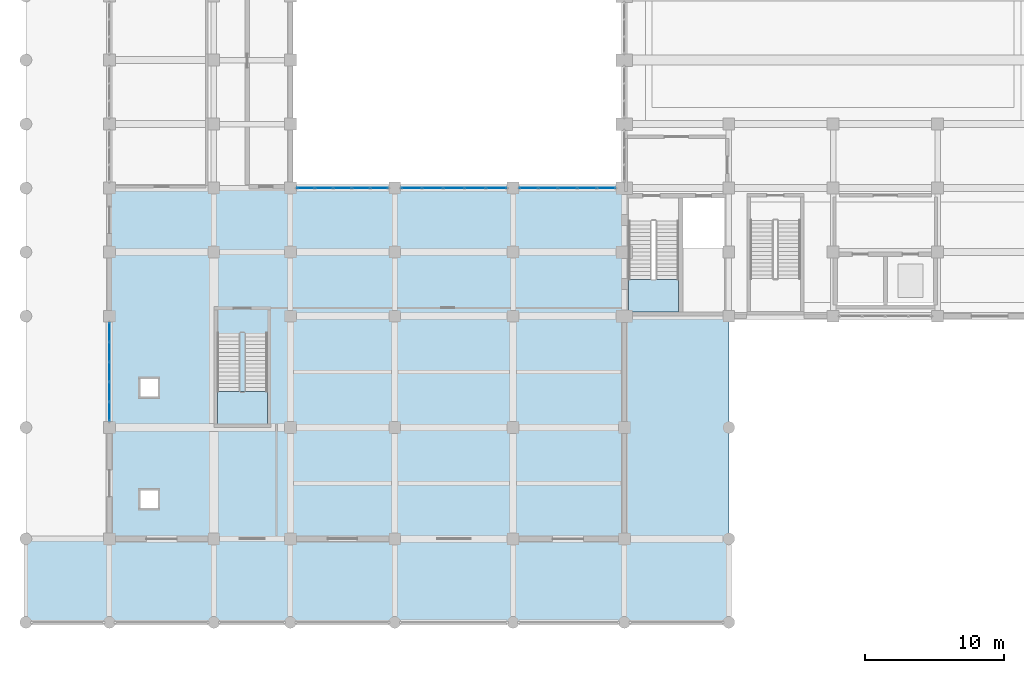
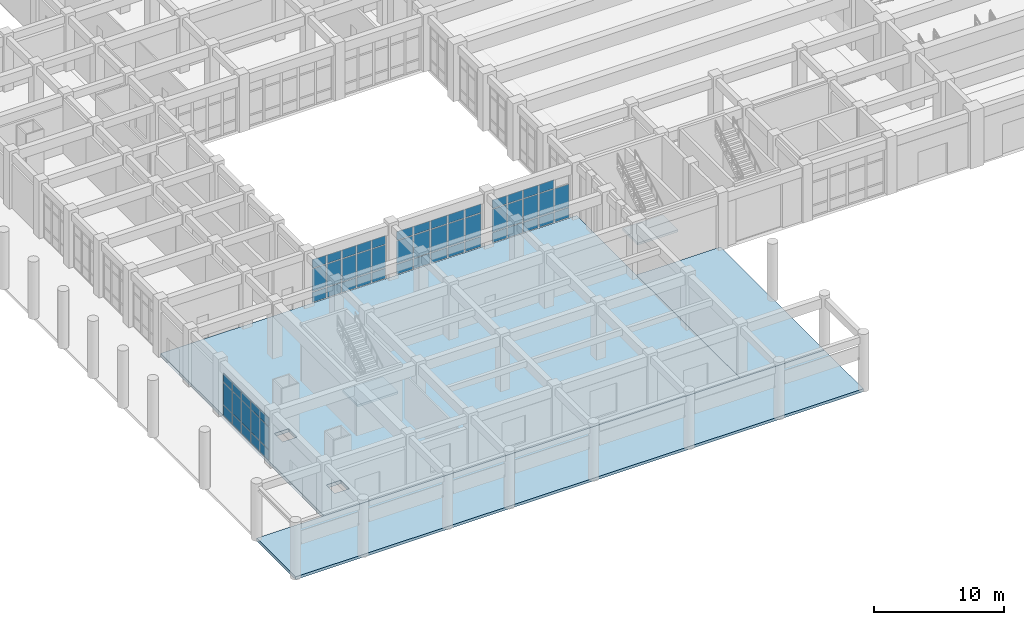
# One storey, part 52 of 84: 59 plates, 5 slabs, 6 elements without a shape of their own.
"""IFC4 building model written with IfcOpenShell, lengths in metres."""

from ifc_helpers import new_model, si_unit, direction, frame, origin, origin_2d, place, context, subcontext, project, spatial, polyline, rectangle, outline, extrude, material, layer, layer_set, type_object, element, aggregate, save


model = new_model("IFC4")

# Units and contexts
model_context = context("Model", 3, precision=1e-05, world=origin(), true_north=direction((0.0, 1.0)))
body_context = subcontext(model_context, "Body", "Model", "MODEL_VIEW")
ifc_project = project(units=[si_unit("LENGTHUNIT", "METRE"), si_unit("AREAUNIT", "SQUARE_METRE"), si_unit("VOLUMEUNIT", "CUBIC_METRE"), si_unit("PLANEANGLEUNIT", "RADIAN"), si_unit("MASSUNIT", "GRAM", prefix="KILO")], contexts=[model_context])

# Site, building, storey
site_placement = place(None, origin())
site = spatial("IfcSite", under=ifc_project, at=site_placement, CompositionType="ELEMENT")
building_placement = place(site_placement, origin())
building = spatial("IfcBuilding", under=site, at=building_placement, Name="Muzn Square Opera House", CompositionType="ELEMENT")
storey_placement = place(building_placement, origin())
storey = spatial("IfcBuildingStorey", under=building, at=storey_placement, Name="L00", CompositionType="ELEMENT", Elevation=0.0)

# Curtain wall, plates
ifc_material_1 = material(Name="Low-E laminated acoustic double glazing", Category="glass")
ifc_layer_1 = layer(ifc_material_1, 0.159912109375, Name="Low-E laminated acoustic double glazing", Category="glass")
ifc_layer_set_1 = layer_set([ifc_layer_1], Name="Low-E laminated acoustic double glazing")
curtain_wall_type_1 = type_object("IfcCurtainWallType", Name="Glazed Curtain Wall WestCloisterS 6650x4150", PredefinedType="USERDEFINED", material=ifc_layer_set_1)
curtain_wall_1_placement = place(storey_placement, origin())
curtain_wall_1 = element("IfcCurtainWall", 1, at=curtain_wall_1_placement, inside=storey, type_object=curtain_wall_type_1, Name="Glazed Curtain Wall CW-L00-069", ObjectType="GLAZED CURTAIN WALL", PredefinedType="USERDEFINED")
ifc_layer_2 = layer(ifc_material_1, 0.035888671875, Name="Low-E laminated acoustic double glazing", Category="glass")
ifc_layer_set_2 = layer_set([ifc_layer_2], Name="Low-E laminated acoustic double glazing")
plate_type = type_object("IfcPlateType", Name="Curtain Wall Solar Glazed Panel 36mm", PredefinedType="CURTAIN_PANEL", material=ifc_layer_set_2)
plate_1_placement = place(storey_placement, frame((20.107421875, 31.199951171875, 0.06982421875), z_axis=(0.0, 0.0, 1.0), x_axis=(1.0, 0.0, 0.0)))
plate_1 = element("IfcPlate", 2, at=plate_1_placement, type_object=plate_type, Name="CW-WCS-66x41 panel 1.1", PredefinedType="CURTAIN_PANEL", context=body_context, shape_type="SweptSolid", body=[
    extrude(rectangle(XDim=1.22509765625, YDim=0.035888671875, at=origin_2d()), origin(), (0.0, 0.0, 1.0), 0.945068359375),
])
plate_2_placement = place(storey_placement, frame((20.107421875, 31.199951171875, 1.0849609375), z_axis=(0.0, 0.0, 1.0), x_axis=(1.0, 0.0, 0.0)))
plate_2 = element("IfcPlate", 3, at=plate_2_placement, type_object=plate_type, Name="CW-WCS-66x41 panel 1.2", PredefinedType="CURTAIN_PANEL", context=body_context, shape_type="SweptSolid", body=[
    extrude(rectangle(XDim=1.22509765625, YDim=0.035888671875, at=origin_2d()), origin(), (0.0, 0.0, 1.0), 2.1298828125),
])
plate_3_placement = place(storey_placement, frame((20.107421875, 31.199951171875, 3.28515625), z_axis=(0.0, 0.0, 1.0), x_axis=(1.0, 0.0, 0.0)))
plate_3 = element("IfcPlate", 4, at=plate_3_placement, type_object=plate_type, Name="CW-WCS-66x41 panel 1.3", PredefinedType="CURTAIN_PANEL", context=body_context, shape_type="SweptSolid", body=[
    extrude(rectangle(XDim=1.22509765625, YDim=0.035888671875, at=origin_2d()), origin(), (0.0, 0.0, 1.0), 0.794921875),
])
plate_4_placement = place(storey_placement, frame((21.419921875, 31.199951171875, 0.06982421875), z_axis=(0.0, 0.0, 1.0), x_axis=(1.0, 0.0, 0.0)))
plate_4 = element("IfcPlate", 5, at=plate_4_placement, type_object=plate_type, Name="CW-WCS-66x41 panel 2.1", PredefinedType="CURTAIN_PANEL", context=body_context, shape_type="SweptSolid", body=[
    extrude(rectangle(XDim=1.260009765625, YDim=0.035888671875, at=origin_2d()), origin(), (0.0, 0.0, 1.0), 0.945068359375),
])
plate_5_placement = place(storey_placement, frame((21.419921875, 31.199951171875, 1.0849609375), z_axis=(0.0, 0.0, 1.0), x_axis=(1.0, 0.0, 0.0)))
plate_5 = element("IfcPlate", 6, at=plate_5_placement, type_object=plate_type, Name="CW-WCS-66x41 panel 2.2", PredefinedType="CURTAIN_PANEL", context=body_context, shape_type="SweptSolid", body=[
    extrude(rectangle(XDim=1.260009765625, YDim=0.035888671875, at=origin_2d()), origin(), (0.0, 0.0, 1.0), 2.1298828125),
])
plate_6_placement = place(storey_placement, frame((21.419921875, 31.199951171875, 3.28515625), z_axis=(0.0, 0.0, 1.0), x_axis=(1.0, 0.0, 0.0)))
plate_6 = element("IfcPlate", 7, at=plate_6_placement, type_object=plate_type, Name="CW-WCS-66x41 panel 2.3", PredefinedType="CURTAIN_PANEL", context=body_context, shape_type="SweptSolid", body=[
    extrude(rectangle(XDim=1.260009765625, YDim=0.035888671875, at=origin_2d()), origin(), (0.0, 0.0, 1.0), 0.794921875),
])
plate_7_placement = place(storey_placement, frame((22.75, 31.199951171875, 0.06982421875), z_axis=(0.0, 0.0, 1.0), x_axis=(1.0, 0.0, 0.0)))
plate_7 = element("IfcPlate", 8, at=plate_7_placement, type_object=plate_type, Name="CW-WCS-66x41 panel 3.1", PredefinedType="CURTAIN_PANEL", context=body_context, shape_type="SweptSolid", body=[
    extrude(rectangle(XDim=1.260009765625, YDim=0.035888671875, at=origin_2d()), origin(), (0.0, 0.0, 1.0), 0.945068359375),
])
plate_8_placement = place(storey_placement, frame((22.75, 31.199951171875, 1.0849609375), z_axis=(0.0, 0.0, 1.0), x_axis=(1.0, 0.0, 0.0)))
plate_8 = element("IfcPlate", 9, at=plate_8_placement, type_object=plate_type, Name="CW-WCS-66x41 panel 3.2", PredefinedType="CURTAIN_PANEL", context=body_context, shape_type="SweptSolid", body=[
    extrude(rectangle(XDim=1.260009765625, YDim=0.035888671875, at=origin_2d()), origin(), (0.0, 0.0, 1.0), 2.1298828125),
])
plate_9_placement = place(storey_placement, frame((22.75, 31.199951171875, 3.28515625), z_axis=(0.0, 0.0, 1.0), x_axis=(1.0, 0.0, 0.0)))
plate_9 = element("IfcPlate", 10, at=plate_9_placement, type_object=plate_type, Name="CW-WCS-66x41 panel 3.3", PredefinedType="CURTAIN_PANEL", context=body_context, shape_type="SweptSolid", body=[
    extrude(rectangle(XDim=1.260009765625, YDim=0.035888671875, at=origin_2d()), origin(), (0.0, 0.0, 1.0), 0.794921875),
])
plate_10_placement = place(storey_placement, frame((24.080078125, 31.199951171875, 0.06982421875), z_axis=(0.0, 0.0, 1.0), x_axis=(1.0, 0.0, 0.0)))
plate_10 = element("IfcPlate", 11, at=plate_10_placement, type_object=plate_type, Name="CW-WCS-66x41 panel 4.1", PredefinedType="CURTAIN_PANEL", context=body_context, shape_type="SweptSolid", body=[
    extrude(rectangle(XDim=1.260009765625, YDim=0.035888671875, at=origin_2d()), origin(), (0.0, 0.0, 1.0), 0.945068359375),
])
plate_11_placement = place(storey_placement, frame((24.080078125, 31.199951171875, 1.0849609375), z_axis=(0.0, 0.0, 1.0), x_axis=(1.0, 0.0, 0.0)))
plate_11 = element("IfcPlate", 12, at=plate_11_placement, type_object=plate_type, Name="CW-WCS-66x41 panel 4.2", PredefinedType="CURTAIN_PANEL", context=body_context, shape_type="SweptSolid", body=[
    extrude(rectangle(XDim=1.260009765625, YDim=0.035888671875, at=origin_2d()), origin(), (0.0, 0.0, 1.0), 2.1298828125),
])
plate_12_placement = place(storey_placement, frame((24.080078125, 31.199951171875, 3.28515625), z_axis=(0.0, 0.0, 1.0), x_axis=(1.0, 0.0, 0.0)))
plate_12 = element("IfcPlate", 13, at=plate_12_placement, type_object=plate_type, Name="CW-WCS-66x41 panel 4.3", PredefinedType="CURTAIN_PANEL", context=body_context, shape_type="SweptSolid", body=[
    extrude(rectangle(XDim=1.260009765625, YDim=0.035888671875, at=origin_2d()), origin(), (0.0, 0.0, 1.0), 0.794921875),
])
plate_13_placement = place(storey_placement, frame((25.392578125, 31.199951171875, 0.06982421875), z_axis=(0.0, 0.0, 1.0), x_axis=(1.0, 0.0, 0.0)))
plate_13 = element("IfcPlate", 14, at=plate_13_placement, type_object=plate_type, Name="CW-WCS-66x41 panel 5.1", PredefinedType="CURTAIN_PANEL", context=body_context, shape_type="SweptSolid", body=[
    extrude(rectangle(XDim=1.22509765625, YDim=0.035888671875, at=origin_2d()), origin(), (0.0, 0.0, 1.0), 0.945068359375),
])
plate_14_placement = place(storey_placement, frame((25.392578125, 31.199951171875, 1.0849609375), z_axis=(0.0, 0.0, 1.0), x_axis=(1.0, 0.0, 0.0)))
plate_14 = element("IfcPlate", 15, at=plate_14_placement, type_object=plate_type, Name="CW-WCS-66x41 panel 5.2", PredefinedType="CURTAIN_PANEL", context=body_context, shape_type="SweptSolid", body=[
    extrude(rectangle(XDim=1.22509765625, YDim=0.035888671875, at=origin_2d()), origin(), (0.0, 0.0, 1.0), 2.1298828125),
])
plate_15_placement = place(storey_placement, frame((25.392578125, 31.199951171875, 3.28515625), z_axis=(0.0, 0.0, 1.0), x_axis=(1.0, 0.0, 0.0)))
plate_15 = element("IfcPlate", 16, at=plate_15_placement, type_object=plate_type, Name="CW-WCS-66x41 panel 5.3", PredefinedType="CURTAIN_PANEL", context=body_context, shape_type="SweptSolid", body=[
    extrude(rectangle(XDim=1.22509765625, YDim=0.035888671875, at=origin_2d()), origin(), (0.0, 0.0, 1.0), 0.794921875),
])
aggregate(curtain_wall_1, [plate_1, plate_2, plate_3, plate_4, plate_5, plate_6, plate_7, plate_8, plate_9, plate_10, plate_11, plate_12, plate_13, plate_14, plate_15])

ifc_layer_3 = layer(ifc_material_1, 0.159912109375, Name="Low-E laminated acoustic double glazing", Category="glass")
ifc_layer_set_3 = layer_set([ifc_layer_3], Name="Low-E laminated acoustic double glazing")
curtain_wall_type_2 = type_object("IfcCurtainWallType", Name="Glazed Curtain Wall WestCloisterS 7650x4150", PredefinedType="USERDEFINED", material=ifc_layer_set_3)
curtain_wall_2_placement = place(storey_placement, origin())
curtain_wall_2 = element("IfcCurtainWall", 17, at=curtain_wall_2_placement, inside=storey, type_object=curtain_wall_type_2, Name="Glazed Curtain Wall CW-L00-071", ObjectType="GLAZED CURTAIN WALL", PredefinedType="USERDEFINED")
plate_16_placement = place(storey_placement, frame((27.70751953125, 31.199951171875, 0.06982421875), z_axis=(0.0, 0.0, 1.0), x_axis=(1.0, 0.0, 0.0)))
plate_16 = element("IfcPlate", 18, at=plate_16_placement, type_object=plate_type, Name="CW-WCS-76x41 panel 1.1", PredefinedType="CURTAIN_PANEL", context=body_context, shape_type="SweptSolid", body=[
    extrude(rectangle(XDim=1.425048828125, YDim=0.035888671875, at=origin_2d()), origin(), (0.0, 0.0, 1.0), 0.945068359375),
])
plate_17_placement = place(storey_placement, frame((27.70751953125, 31.199951171875, 1.0849609375), z_axis=(0.0, 0.0, 1.0), x_axis=(1.0, 0.0, 0.0)))
plate_17 = element("IfcPlate", 19, at=plate_17_placement, type_object=plate_type, Name="CW-WCS-76x41 panel 1.2", PredefinedType="CURTAIN_PANEL", context=body_context, shape_type="SweptSolid", body=[
    extrude(rectangle(XDim=1.425048828125, YDim=0.035888671875, at=origin_2d()), origin(), (0.0, 0.0, 1.0), 2.1298828125),
])
plate_18_placement = place(storey_placement, frame((27.70751953125, 31.199951171875, 3.28515625), z_axis=(0.0, 0.0, 1.0), x_axis=(1.0, 0.0, 0.0)))
plate_18 = element("IfcPlate", 20, at=plate_18_placement, type_object=plate_type, Name="CW-WCS-76x41 panel 1.3", PredefinedType="CURTAIN_PANEL", context=body_context, shape_type="SweptSolid", body=[
    extrude(rectangle(XDim=1.425048828125, YDim=0.035888671875, at=origin_2d()), origin(), (0.0, 0.0, 1.0), 0.794921875),
])
plate_19_placement = place(storey_placement, frame((29.219970703125, 31.199951171875, 0.06982421875), z_axis=(0.0, 0.0, 1.0), x_axis=(1.0, 0.0, 0.0)))
plate_19 = element("IfcPlate", 21, at=plate_19_placement, type_object=plate_type, Name="CW-WCS-76x41 panel 2.1", PredefinedType="CURTAIN_PANEL", context=body_context, shape_type="SweptSolid", body=[
    extrude(rectangle(XDim=1.4599609375, YDim=0.035888671875, at=origin_2d()), origin(), (0.0, 0.0, 1.0), 0.945068359375),
])
plate_20_placement = place(storey_placement, frame((29.219970703125, 31.199951171875, 1.0849609375), z_axis=(0.0, 0.0, 1.0), x_axis=(1.0, 0.0, 0.0)))
plate_20 = element("IfcPlate", 22, at=plate_20_placement, type_object=plate_type, Name="CW-WCS-76x41 panel 2.2", PredefinedType="CURTAIN_PANEL", context=body_context, shape_type="SweptSolid", body=[
    extrude(rectangle(XDim=1.4599609375, YDim=0.035888671875, at=origin_2d()), origin(), (0.0, 0.0, 1.0), 2.1298828125),
])
plate_21_placement = place(storey_placement, frame((29.219970703125, 31.199951171875, 3.28515625), z_axis=(0.0, 0.0, 1.0), x_axis=(1.0, 0.0, 0.0)))
plate_21 = element("IfcPlate", 23, at=plate_21_placement, type_object=plate_type, Name="CW-WCS-76x41 panel 2.3", PredefinedType="CURTAIN_PANEL", context=body_context, shape_type="SweptSolid", body=[
    extrude(rectangle(XDim=1.4599609375, YDim=0.035888671875, at=origin_2d()), origin(), (0.0, 0.0, 1.0), 0.794921875),
])
plate_22_placement = place(storey_placement, frame((30.75, 31.199951171875, 0.06982421875), z_axis=(0.0, 0.0, 1.0), x_axis=(1.0, 0.0, 0.0)))
plate_22 = element("IfcPlate", 24, at=plate_22_placement, type_object=plate_type, Name="CW-WCS-76x41 panel 3.1", PredefinedType="CURTAIN_PANEL", context=body_context, shape_type="SweptSolid", body=[
    extrude(rectangle(XDim=1.4599609375, YDim=0.035888671875, at=origin_2d()), origin(), (0.0, 0.0, 1.0), 0.945068359375),
])
plate_23_placement = place(storey_placement, frame((30.75, 31.199951171875, 1.0849609375), z_axis=(0.0, 0.0, 1.0), x_axis=(1.0, 0.0, 0.0)))
plate_23 = element("IfcPlate", 25, at=plate_23_placement, type_object=plate_type, Name="CW-WCS-76x41 panel 3.2", PredefinedType="CURTAIN_PANEL", context=body_context, shape_type="SweptSolid", body=[
    extrude(rectangle(XDim=1.4599609375, YDim=0.035888671875, at=origin_2d()), origin(), (0.0, 0.0, 1.0), 2.1298828125),
])
plate_24_placement = place(storey_placement, frame((30.75, 31.199951171875, 3.28515625), z_axis=(0.0, 0.0, 1.0), x_axis=(1.0, 0.0, 0.0)))
plate_24 = element("IfcPlate", 26, at=plate_24_placement, type_object=plate_type, Name="CW-WCS-76x41 panel 3.3", PredefinedType="CURTAIN_PANEL", context=body_context, shape_type="SweptSolid", body=[
    extrude(rectangle(XDim=1.4599609375, YDim=0.035888671875, at=origin_2d()), origin(), (0.0, 0.0, 1.0), 0.794921875),
])
plate_25_placement = place(storey_placement, frame((32.280029296875, 31.199951171875, 0.06982421875), z_axis=(0.0, 0.0, 1.0), x_axis=(1.0, 0.0, 0.0)))
plate_25 = element("IfcPlate", 27, at=plate_25_placement, type_object=plate_type, Name="CW-WCS-76x41 panel 4.1", PredefinedType="CURTAIN_PANEL", context=body_context, shape_type="SweptSolid", body=[
    extrude(rectangle(XDim=1.4599609375, YDim=0.035888671875, at=origin_2d()), origin(), (0.0, 0.0, 1.0), 0.945068359375),
])
plate_26_placement = place(storey_placement, frame((32.280029296875, 31.199951171875, 1.0849609375), z_axis=(0.0, 0.0, 1.0), x_axis=(1.0, 0.0, 0.0)))
plate_26 = element("IfcPlate", 28, at=plate_26_placement, type_object=plate_type, Name="CW-WCS-76x41 panel 4.2", PredefinedType="CURTAIN_PANEL", context=body_context, shape_type="SweptSolid", body=[
    extrude(rectangle(XDim=1.4599609375, YDim=0.035888671875, at=origin_2d()), origin(), (0.0, 0.0, 1.0), 2.1298828125),
])
plate_27_placement = place(storey_placement, frame((32.280029296875, 31.199951171875, 3.28515625), z_axis=(0.0, 0.0, 1.0), x_axis=(1.0, 0.0, 0.0)))
plate_27 = element("IfcPlate", 29, at=plate_27_placement, type_object=plate_type, Name="CW-WCS-76x41 panel 4.3", PredefinedType="CURTAIN_PANEL", context=body_context, shape_type="SweptSolid", body=[
    extrude(rectangle(XDim=1.4599609375, YDim=0.035888671875, at=origin_2d()), origin(), (0.0, 0.0, 1.0), 0.794921875),
])
plate_28_placement = place(storey_placement, frame((33.79248046875, 31.199951171875, 0.06982421875), z_axis=(0.0, 0.0, 1.0), x_axis=(1.0, 0.0, 0.0)))
plate_28 = element("IfcPlate", 30, at=plate_28_placement, type_object=plate_type, Name="CW-WCS-76x41 panel 5.1", PredefinedType="CURTAIN_PANEL", context=body_context, shape_type="SweptSolid", body=[
    extrude(rectangle(XDim=1.425048828125, YDim=0.035888671875, at=origin_2d()), origin(), (0.0, 0.0, 1.0), 0.945068359375),
])
plate_29_placement = place(storey_placement, frame((33.79248046875, 31.199951171875, 1.0849609375), z_axis=(0.0, 0.0, 1.0), x_axis=(1.0, 0.0, 0.0)))
plate_29 = element("IfcPlate", 31, at=plate_29_placement, type_object=plate_type, Name="CW-WCS-76x41 panel 5.2", PredefinedType="CURTAIN_PANEL", context=body_context, shape_type="SweptSolid", body=[
    extrude(rectangle(XDim=1.425048828125, YDim=0.035888671875, at=origin_2d()), origin(), (0.0, 0.0, 1.0), 2.1298828125),
])
plate_30_placement = place(storey_placement, frame((33.79248046875, 31.199951171875, 3.28515625), z_axis=(0.0, 0.0, 1.0), x_axis=(1.0, 0.0, 0.0)))
plate_30 = element("IfcPlate", 32, at=plate_30_placement, type_object=plate_type, Name="CW-WCS-76x41 panel 5.3", PredefinedType="CURTAIN_PANEL", context=body_context, shape_type="SweptSolid", body=[
    extrude(rectangle(XDim=1.425048828125, YDim=0.035888671875, at=origin_2d()), origin(), (0.0, 0.0, 1.0), 0.794921875),
])
aggregate(curtain_wall_2, [plate_16, plate_17, plate_18, plate_19, plate_20, plate_21, plate_22, plate_23, plate_24, plate_25, plate_26, plate_27, plate_28, plate_29, plate_30])

ifc_layer_4 = layer(ifc_material_1, 0.159912109375, Name="Low-E laminated acoustic double glazing", Category="glass")
ifc_layer_set_4 = layer_set([ifc_layer_4], Name="Low-E laminated acoustic double glazing")
curtain_wall_type_3 = type_object("IfcCurtainWallType", Name="Glazed Curtain Wall WestCloisterS 6975x4150", PredefinedType="USERDEFINED", material=ifc_layer_set_4)
curtain_wall_3_placement = place(storey_placement, origin())
curtain_wall_3 = element("IfcCurtainWall", 33, at=curtain_wall_3_placement, inside=storey, type_object=curtain_wall_type_3, Name="Glazed Curtain Wall CW-L00-073", ObjectType="GLAZED CURTAIN WALL", PredefinedType="USERDEFINED")
plate_31_placement = place(storey_placement, frame((36.139892578125, 31.199951171875, 0.06982421875), z_axis=(0.0, 0.0, 1.0), x_axis=(1.0, 0.0, 0.0)))
plate_31 = element("IfcPlate", 34, at=plate_31_placement, type_object=plate_type, Name="CW-WCS-69x41 panel 1.1", PredefinedType="CURTAIN_PANEL", context=body_context, shape_type="SweptSolid", body=[
    extrude(rectangle(XDim=1.2900390625, YDim=0.035888671875, at=origin_2d()), origin(), (0.0, 0.0, 1.0), 0.945068359375),
])
plate_32_placement = place(storey_placement, frame((36.139892578125, 31.199951171875, 1.0849609375), z_axis=(0.0, 0.0, 1.0), x_axis=(1.0, 0.0, 0.0)))
plate_32 = element("IfcPlate", 35, at=plate_32_placement, type_object=plate_type, Name="CW-WCS-69x41 panel 1.2", PredefinedType="CURTAIN_PANEL", context=body_context, shape_type="SweptSolid", body=[
    extrude(rectangle(XDim=1.2900390625, YDim=0.035888671875, at=origin_2d()), origin(), (0.0, 0.0, 1.0), 2.1298828125),
])
plate_33_placement = place(storey_placement, frame((36.139892578125, 31.199951171875, 3.28515625), z_axis=(0.0, 0.0, 1.0), x_axis=(1.0, 0.0, 0.0)))
plate_33 = element("IfcPlate", 36, at=plate_33_placement, type_object=plate_type, Name="CW-WCS-69x41 panel 1.3", PredefinedType="CURTAIN_PANEL", context=body_context, shape_type="SweptSolid", body=[
    extrude(rectangle(XDim=1.2900390625, YDim=0.035888671875, at=origin_2d()), origin(), (0.0, 0.0, 1.0), 0.794921875),
])
plate_34_placement = place(storey_placement, frame((37.517578125, 31.199951171875, 0.06982421875), z_axis=(0.0, 0.0, 1.0), x_axis=(1.0, 0.0, 0.0)))
plate_34 = element("IfcPlate", 37, at=plate_34_placement, type_object=plate_type, Name="CW-WCS-69x41 panel 2.1", PredefinedType="CURTAIN_PANEL", context=body_context, shape_type="SweptSolid", body=[
    extrude(rectangle(XDim=1.324951171875, YDim=0.035888671875, at=origin_2d()), origin(), (0.0, 0.0, 1.0), 0.945068359375),
])
plate_35_placement = place(storey_placement, frame((37.517578125, 31.199951171875, 1.0849609375), z_axis=(0.0, 0.0, 1.0), x_axis=(1.0, 0.0, 0.0)))
plate_35 = element("IfcPlate", 38, at=plate_35_placement, type_object=plate_type, Name="CW-WCS-69x41 panel 2.2", PredefinedType="CURTAIN_PANEL", context=body_context, shape_type="SweptSolid", body=[
    extrude(rectangle(XDim=1.324951171875, YDim=0.035888671875, at=origin_2d()), origin(), (0.0, 0.0, 1.0), 2.1298828125),
])
plate_36_placement = place(storey_placement, frame((37.517578125, 31.199951171875, 3.28515625), z_axis=(0.0, 0.0, 1.0), x_axis=(1.0, 0.0, 0.0)))
plate_36 = element("IfcPlate", 39, at=plate_36_placement, type_object=plate_type, Name="CW-WCS-69x41 panel 2.3", PredefinedType="CURTAIN_PANEL", context=body_context, shape_type="SweptSolid", body=[
    extrude(rectangle(XDim=1.324951171875, YDim=0.035888671875, at=origin_2d()), origin(), (0.0, 0.0, 1.0), 0.794921875),
])
plate_37_placement = place(storey_placement, frame((38.91259765625, 31.199951171875, 0.06982421875), z_axis=(0.0, 0.0, 1.0), x_axis=(1.0, 0.0, 0.0)))
plate_37 = element("IfcPlate", 40, at=plate_37_placement, type_object=plate_type, Name="CW-WCS-69x41 panel 3.1", PredefinedType="CURTAIN_PANEL", context=body_context, shape_type="SweptSolid", body=[
    extrude(rectangle(XDim=1.324951171875, YDim=0.035888671875, at=origin_2d()), origin(), (0.0, 0.0, 1.0), 0.945068359375),
])
plate_38_placement = place(storey_placement, frame((38.91259765625, 31.199951171875, 1.0849609375), z_axis=(0.0, 0.0, 1.0), x_axis=(1.0, 0.0, 0.0)))
plate_38 = element("IfcPlate", 41, at=plate_38_placement, type_object=plate_type, Name="CW-WCS-69x41 panel 3.2", PredefinedType="CURTAIN_PANEL", context=body_context, shape_type="SweptSolid", body=[
    extrude(rectangle(XDim=1.324951171875, YDim=0.035888671875, at=origin_2d()), origin(), (0.0, 0.0, 1.0), 2.1298828125),
])
plate_39_placement = place(storey_placement, frame((38.91259765625, 31.199951171875, 3.28515625), z_axis=(0.0, 0.0, 1.0), x_axis=(1.0, 0.0, 0.0)))
plate_39 = element("IfcPlate", 42, at=plate_39_placement, type_object=plate_type, Name="CW-WCS-69x41 panel 3.3", PredefinedType="CURTAIN_PANEL", context=body_context, shape_type="SweptSolid", body=[
    extrude(rectangle(XDim=1.324951171875, YDim=0.035888671875, at=origin_2d()), origin(), (0.0, 0.0, 1.0), 0.794921875),
])
plate_40_placement = place(storey_placement, frame((40.3076171875, 31.199951171875, 0.06982421875), z_axis=(0.0, 0.0, 1.0), x_axis=(1.0, 0.0, 0.0)))
plate_40 = element("IfcPlate", 43, at=plate_40_placement, type_object=plate_type, Name="CW-WCS-69x41 panel 4.1", PredefinedType="CURTAIN_PANEL", context=body_context, shape_type="SweptSolid", body=[
    extrude(rectangle(XDim=1.324951171875, YDim=0.035888671875, at=origin_2d()), origin(), (0.0, 0.0, 1.0), 0.945068359375),
])
plate_41_placement = place(storey_placement, frame((40.3076171875, 31.199951171875, 1.0849609375), z_axis=(0.0, 0.0, 1.0), x_axis=(1.0, 0.0, 0.0)))
plate_41 = element("IfcPlate", 44, at=plate_41_placement, type_object=plate_type, Name="CW-WCS-69x41 panel 4.2", PredefinedType="CURTAIN_PANEL", context=body_context, shape_type="SweptSolid", body=[
    extrude(rectangle(XDim=1.324951171875, YDim=0.035888671875, at=origin_2d()), origin(), (0.0, 0.0, 1.0), 2.1298828125),
])
plate_42_placement = place(storey_placement, frame((40.3076171875, 31.199951171875, 3.28515625), z_axis=(0.0, 0.0, 1.0), x_axis=(1.0, 0.0, 0.0)))
plate_42 = element("IfcPlate", 45, at=plate_42_placement, type_object=plate_type, Name="CW-WCS-69x41 panel 4.3", PredefinedType="CURTAIN_PANEL", context=body_context, shape_type="SweptSolid", body=[
    extrude(rectangle(XDim=1.324951171875, YDim=0.035888671875, at=origin_2d()), origin(), (0.0, 0.0, 1.0), 0.794921875),
])
plate_43_placement = place(storey_placement, frame((41.68505859375, 31.199951171875, 0.06982421875), z_axis=(0.0, 0.0, 1.0), x_axis=(1.0, 0.0, 0.0)))
plate_43 = element("IfcPlate", 46, at=plate_43_placement, type_object=plate_type, Name="CW-WCS-69x41 panel 5.1", PredefinedType="CURTAIN_PANEL", context=body_context, shape_type="SweptSolid", body=[
    extrude(rectangle(XDim=1.2900390625, YDim=0.035888671875, at=origin_2d()), origin(), (0.0, 0.0, 1.0), 0.945068359375),
])
plate_44_placement = place(storey_placement, frame((41.68505859375, 31.199951171875, 1.0849609375), z_axis=(0.0, 0.0, 1.0), x_axis=(1.0, 0.0, 0.0)))
plate_44 = element("IfcPlate", 47, at=plate_44_placement, type_object=plate_type, Name="CW-WCS-69x41 panel 5.2", PredefinedType="CURTAIN_PANEL", context=body_context, shape_type="SweptSolid", body=[
    extrude(rectangle(XDim=1.2900390625, YDim=0.035888671875, at=origin_2d()), origin(), (0.0, 0.0, 1.0), 2.1298828125),
])
aggregate(curtain_wall_3, [plate_31, plate_32, plate_33, plate_34, plate_35, plate_36, plate_37, plate_38, plate_39, plate_40, plate_41, plate_42, plate_43, plate_44])

ifc_layer_5 = layer(ifc_material_1, 0.159912109375, Name="Low-E laminated acoustic double glazing", Category="glass")
ifc_layer_set_5 = layer_set([ifc_layer_5], Name="Low-E laminated acoustic double glazing")
curtain_wall_type_4 = type_object("IfcCurtainWallType", Name="Glazed Curtain Wall WestBlvd 7150x4100", PredefinedType="USERDEFINED", material=ifc_layer_set_5)
curtain_wall_4_placement = place(storey_placement, origin())
curtain_wall_4 = element("IfcCurtainWall", 48, at=curtain_wall_4_placement, inside=storey, type_object=curtain_wall_type_4, Name="Glazed Curtain Wall CW-L00-134", ObjectType="GLAZED CURTAIN WALL", PredefinedType="USERDEFINED")
plate_45_placement = place(storey_placement, frame((6.0, 15.157470703125, 0.06982421875), z_axis=(0.0, 0.0, 1.0), x_axis=(0.0, 1.0, 0.0)))
plate_45 = element("IfcPlate", 49, at=plate_45_placement, type_object=plate_type, Name="CW-WBL-71x41 panel 1.1", PredefinedType="CURTAIN_PANEL", context=body_context, shape_type="SweptSolid", body=[
    extrude(rectangle(XDim=1.324951171875, YDim=0.035888671875, at=origin_2d()), origin(), (0.0, 0.0, 1.0), 0.945068359375),
])
plate_46_placement = place(storey_placement, frame((6.0, 15.157470703125, 1.0849609375), z_axis=(0.0, 0.0, 1.0), x_axis=(0.0, 1.0, 0.0)))
plate_46 = element("IfcPlate", 50, at=plate_46_placement, type_object=plate_type, Name="CW-WBL-71x41 panel 1.2", PredefinedType="CURTAIN_PANEL", context=body_context, shape_type="SweptSolid", body=[
    extrude(rectangle(XDim=1.324951171875, YDim=0.035888671875, at=origin_2d()), origin(), (0.0, 0.0, 1.0), 2.080078125),
])
plate_47_placement = place(storey_placement, frame((6.0, 15.157470703125, 3.235107421875), z_axis=(0.0, 0.0, 1.0), x_axis=(0.0, 1.0, 0.0)))
plate_47 = element("IfcPlate", 51, at=plate_47_placement, type_object=plate_type, Name="CW-WBL-71x41 panel 1.3", PredefinedType="CURTAIN_PANEL", context=body_context, shape_type="SweptSolid", body=[
    extrude(rectangle(XDim=1.324951171875, YDim=0.035888671875, at=origin_2d()), origin(), (0.0, 0.0, 1.0), 0.794921875),
])
plate_48_placement = place(storey_placement, frame((6.0, 16.570068359375, 0.06982421875), z_axis=(0.0, 0.0, 1.0), x_axis=(0.0, 1.0, 0.0)))
plate_48 = element("IfcPlate", 52, at=plate_48_placement, type_object=plate_type, Name="CW-WBL-71x41 panel 2.1", PredefinedType="CURTAIN_PANEL", context=body_context, shape_type="SweptSolid", body=[
    extrude(rectangle(XDim=1.360107421875, YDim=0.035888671875, at=origin_2d()), origin(), (0.0, 0.0, 1.0), 0.945068359375),
])
plate_49_placement = place(storey_placement, frame((6.0, 16.570068359375, 1.0849609375), z_axis=(0.0, 0.0, 1.0), x_axis=(0.0, 1.0, 0.0)))
plate_49 = element("IfcPlate", 53, at=plate_49_placement, type_object=plate_type, Name="CW-WBL-71x41 panel 2.2", PredefinedType="CURTAIN_PANEL", context=body_context, shape_type="SweptSolid", body=[
    extrude(rectangle(XDim=1.360107421875, YDim=0.035888671875, at=origin_2d()), origin(), (0.0, 0.0, 1.0), 2.080078125),
])
plate_50_placement = place(storey_placement, frame((6.0, 16.570068359375, 3.235107421875), z_axis=(0.0, 0.0, 1.0), x_axis=(0.0, 1.0, 0.0)))
plate_50 = element("IfcPlate", 54, at=plate_50_placement, type_object=plate_type, Name="CW-WBL-71x41 panel 2.3", PredefinedType="CURTAIN_PANEL", context=body_context, shape_type="SweptSolid", body=[
    extrude(rectangle(XDim=1.360107421875, YDim=0.035888671875, at=origin_2d()), origin(), (0.0, 0.0, 1.0), 0.794921875),
])
plate_51_placement = place(storey_placement, frame((6.0, 18.0, 0.06982421875), z_axis=(0.0, 0.0, 1.0), x_axis=(0.0, 1.0, 0.0)))
plate_51 = element("IfcPlate", 55, at=plate_51_placement, type_object=plate_type, Name="CW-WBL-71x41 panel 3.1", PredefinedType="CURTAIN_PANEL", context=body_context, shape_type="SweptSolid", body=[
    extrude(rectangle(XDim=1.360107421875, YDim=0.035888671875, at=origin_2d()), origin(), (0.0, 0.0, 1.0), 0.945068359375),
])
plate_52_placement = place(storey_placement, frame((6.0, 18.0, 1.0849609375), z_axis=(0.0, 0.0, 1.0), x_axis=(0.0, 1.0, 0.0)))
plate_52 = element("IfcPlate", 56, at=plate_52_placement, type_object=plate_type, Name="CW-WBL-71x41 panel 3.2", PredefinedType="CURTAIN_PANEL", context=body_context, shape_type="SweptSolid", body=[
    extrude(rectangle(XDim=1.360107421875, YDim=0.035888671875, at=origin_2d()), origin(), (0.0, 0.0, 1.0), 2.080078125),
])
plate_53_placement = place(storey_placement, frame((6.0, 18.0, 3.235107421875), z_axis=(0.0, 0.0, 1.0), x_axis=(0.0, 1.0, 0.0)))
plate_53 = element("IfcPlate", 57, at=plate_53_placement, type_object=plate_type, Name="CW-WBL-71x41 panel 3.3", PredefinedType="CURTAIN_PANEL", context=body_context, shape_type="SweptSolid", body=[
    extrude(rectangle(XDim=1.360107421875, YDim=0.035888671875, at=origin_2d()), origin(), (0.0, 0.0, 1.0), 0.794921875),
])
plate_54_placement = place(storey_placement, frame((6.0, 19.429931640625, 0.06982421875), z_axis=(0.0, 0.0, 1.0), x_axis=(0.0, 1.0, 0.0)))
plate_54 = element("IfcPlate", 58, at=plate_54_placement, type_object=plate_type, Name="CW-WBL-71x41 panel 4.1", PredefinedType="CURTAIN_PANEL", context=body_context, shape_type="SweptSolid", body=[
    extrude(rectangle(XDim=1.360107421875, YDim=0.035888671875, at=origin_2d()), origin(), (0.0, 0.0, 1.0), 0.945068359375),
])
plate_55_placement = place(storey_placement, frame((6.0, 19.429931640625, 1.0849609375), z_axis=(0.0, 0.0, 1.0), x_axis=(0.0, 1.0, 0.0)))
plate_55 = element("IfcPlate", 59, at=plate_55_placement, type_object=plate_type, Name="CW-WBL-71x41 panel 4.2", PredefinedType="CURTAIN_PANEL", context=body_context, shape_type="SweptSolid", body=[
    extrude(rectangle(XDim=1.360107421875, YDim=0.035888671875, at=origin_2d()), origin(), (0.0, 0.0, 1.0), 2.080078125),
])
plate_56_placement = place(storey_placement, frame((6.0, 19.429931640625, 3.235107421875), z_axis=(0.0, 0.0, 1.0), x_axis=(0.0, 1.0, 0.0)))
plate_56 = element("IfcPlate", 60, at=plate_56_placement, type_object=plate_type, Name="CW-WBL-71x41 panel 4.3", PredefinedType="CURTAIN_PANEL", context=body_context, shape_type="SweptSolid", body=[
    extrude(rectangle(XDim=1.360107421875, YDim=0.035888671875, at=origin_2d()), origin(), (0.0, 0.0, 1.0), 0.794921875),
])
plate_57_placement = place(storey_placement, frame((6.0, 20.842529296875, 0.06982421875), z_axis=(0.0, 0.0, 1.0), x_axis=(0.0, 1.0, 0.0)))
plate_57 = element("IfcPlate", 61, at=plate_57_placement, type_object=plate_type, Name="CW-WBL-71x41 panel 5.1", PredefinedType="CURTAIN_PANEL", context=body_context, shape_type="SweptSolid", body=[
    extrude(rectangle(XDim=1.324951171875, YDim=0.035888671875, at=origin_2d()), origin(), (0.0, 0.0, 1.0), 0.945068359375),
])
plate_58_placement = place(storey_placement, frame((6.0, 20.842529296875, 1.0849609375), z_axis=(0.0, 0.0, 1.0), x_axis=(0.0, 1.0, 0.0)))
plate_58 = element("IfcPlate", 62, at=plate_58_placement, type_object=plate_type, Name="CW-WBL-71x41 panel 5.2", PredefinedType="CURTAIN_PANEL", context=body_context, shape_type="SweptSolid", body=[
    extrude(rectangle(XDim=1.324951171875, YDim=0.035888671875, at=origin_2d()), origin(), (0.0, 0.0, 1.0), 2.080078125),
])
plate_59_placement = place(storey_placement, frame((6.0, 20.842529296875, 3.235107421875), z_axis=(0.0, 0.0, 1.0), x_axis=(0.0, 1.0, 0.0)))
plate_59 = element("IfcPlate", 63, at=plate_59_placement, type_object=plate_type, Name="CW-WBL-71x41 panel 5.3", PredefinedType="CURTAIN_PANEL", context=body_context, shape_type="SweptSolid", body=[
    extrude(rectangle(XDim=1.324951171875, YDim=0.035888671875, at=origin_2d()), origin(), (0.0, 0.0, 1.0), 0.794921875),
])
aggregate(curtain_wall_4, [plate_45, plate_46, plate_47, plate_48, plate_49, plate_50, plate_51, plate_52, plate_53, plate_54, plate_55, plate_56, plate_57, plate_58, plate_59])

# Slab
ifc_material_2 = material(Name="Concrete C40/50", Category="concrete")
ifc_layer_6 = layer(ifc_material_2, 0.320068359375, Name="Concrete C40/50", Category="concrete")
ifc_layer_set_6 = layer_set([ifc_layer_6], Name="Concrete C40/50")
slab_type_1 = type_object("IfcSlabType", Name="Floor Slab 320mm", PredefinedType="FLOOR", material=ifc_layer_set_6)
slab_1_placement = place(storey_placement, frame((0.0, 0.0, -0.320068359375)))
element("IfcSlab", 64, at=slab_1_placement, inside=storey, type_object=slab_type_1, Name="Floor Slab SLB-L00-WSOUTH", PredefinedType="FLOOR", context=body_context, shape_type="SweptSolid", body=[
    extrude(outline(polyline([(6.0, 6.0), (43.0, 6.0), (43.0, 31.199951171875), (6.0, 31.199951171875), (6.0, 6.0)]), holes=[polyline([(8.199951171875, 8.199951171875), (9.5, 8.199951171875), (9.5, 9.5), (8.199951171875, 9.5), (8.199951171875, 8.199951171875)]), polyline([(8.199951171875, 16.199951171875), (9.5, 16.199951171875), (9.5, 17.5), (8.199951171875, 17.5), (8.199951171875, 16.199951171875)])]), origin(), (0.0, 0.0, 1.0), 0.320068359375),
])

# Stair, slab
stair_type = type_object("IfcStairType", Name="Core Escape Dogleg Stair", PredefinedType="HALF_TURN_STAIR", material=ifc_material_2)
stair_1_placement = place(storey_placement, origin())
stair_1 = element("IfcStair", 65, at=stair_1_placement, inside=storey, type_object=stair_type, Name="L00 Escape Stair ST-3", PredefinedType="HALF_TURN_STAIR")
ifc_layer_7 = layer(ifc_material_2, 0.199951171875, Name="Concrete C40/50", Category="concrete")
ifc_layer_set_7 = layer_set([ifc_layer_7], Name="Concrete C40/50")
slab_type_2 = type_object("IfcSlabType", Name="Stair Half Landing 200mm", PredefinedType="LANDING", material=ifc_layer_set_7)
slab_2_placement = place(storey_placement, frame((0.0, 0.0, 2.5)))
slab_2 = element("IfcSlab", 66, at=slab_2_placement, type_object=slab_type_2, Name="ST-3 landing 1", PredefinedType="LANDING", context=body_context, shape_type="SweptSolid", body=[
    extrude(outline(polyline([(43.300048828125, 24.639892578125), (43.300048828125, 22.300048828125), (46.89990234375, 22.300048828125), (46.89990234375, 24.639892578125), (43.300048828125, 24.639892578125)])), origin(), (0.0, 0.0, 1.0), 0.199951171875),
])
aggregate(stair_1, [slab_2])

stair_2_placement = place(storey_placement, origin())
stair_2 = element("IfcStair", 67, at=stair_2_placement, inside=storey, type_object=stair_type, Name="L00 Escape Stair ST-7", PredefinedType="HALF_TURN_STAIR")
slab_3_placement = place(storey_placement, frame((0.0, 0.0, 2.5)))
slab_3 = element("IfcSlab", 68, at=slab_3_placement, type_object=slab_type_2, Name="ST-7 landing 1", PredefinedType="LANDING", context=body_context, shape_type="SweptSolid", body=[
    extrude(outline(polyline([(13.75, 16.590087890625), (13.75, 14.25), (17.35009765625, 14.25), (17.35009765625, 16.590087890625), (13.75, 16.590087890625)])), origin(), (0.0, 0.0, 1.0), 0.199951171875),
])
aggregate(stair_2, [slab_3])

# Slabs
ifc_layer_8 = layer(ifc_material_2, 0.260009765625, Name="Concrete C40/50", Category="concrete")
ifc_layer_set_8 = layer_set([ifc_layer_8], Name="Concrete C40/50")
slab_type_3 = type_object("IfcSlabType", Name="Terrace Slab 260mm", PredefinedType="FLOOR", material=ifc_layer_set_8)
slab_4_placement = place(storey_placement, frame((0.0, 0.0, -0.260009765625)))
element("IfcSlab", 69, at=slab_4_placement, inside=storey, type_object=slab_type_3, Name="Outdoor Terrace Slab EXT-L00-COL-WS", PredefinedType="FLOOR", context=body_context, shape_type="SweptSolid", body=[
    extrude(outline(polyline([(0.0, 0.0), (50.5, 0.0), (50.5, 6.0), (0.0, 6.0), (0.0, 0.0)])), origin(), (0.0, 0.0, 1.0), 0.260009765625),
])
slab_5_placement = place(storey_placement, frame((0.0, 0.0, -0.260009765625)))
element("IfcSlab", 70, at=slab_5_placement, inside=storey, type_object=slab_type_3, Name="Outdoor Terrace Slab EXT-L00-COL-WFC", PredefinedType="FLOOR", context=body_context, shape_type="SweptSolid", body=[
    extrude(outline(polyline([(43.0, 6.0), (50.5, 6.0), (50.5, 22.0), (43.0, 22.0), (43.0, 6.0)])), origin(), (0.0, 0.0, 1.0), 0.260009765625),
])

save(model, "model.ifc")
